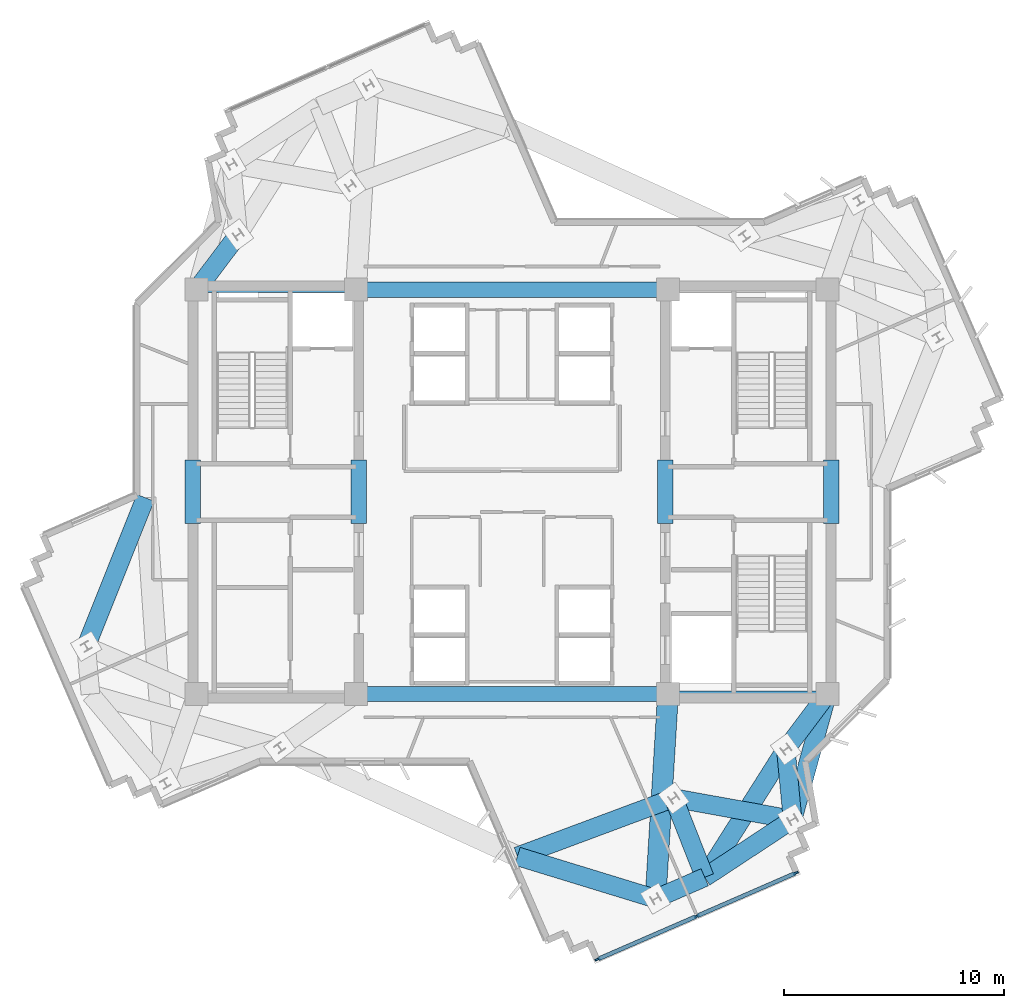
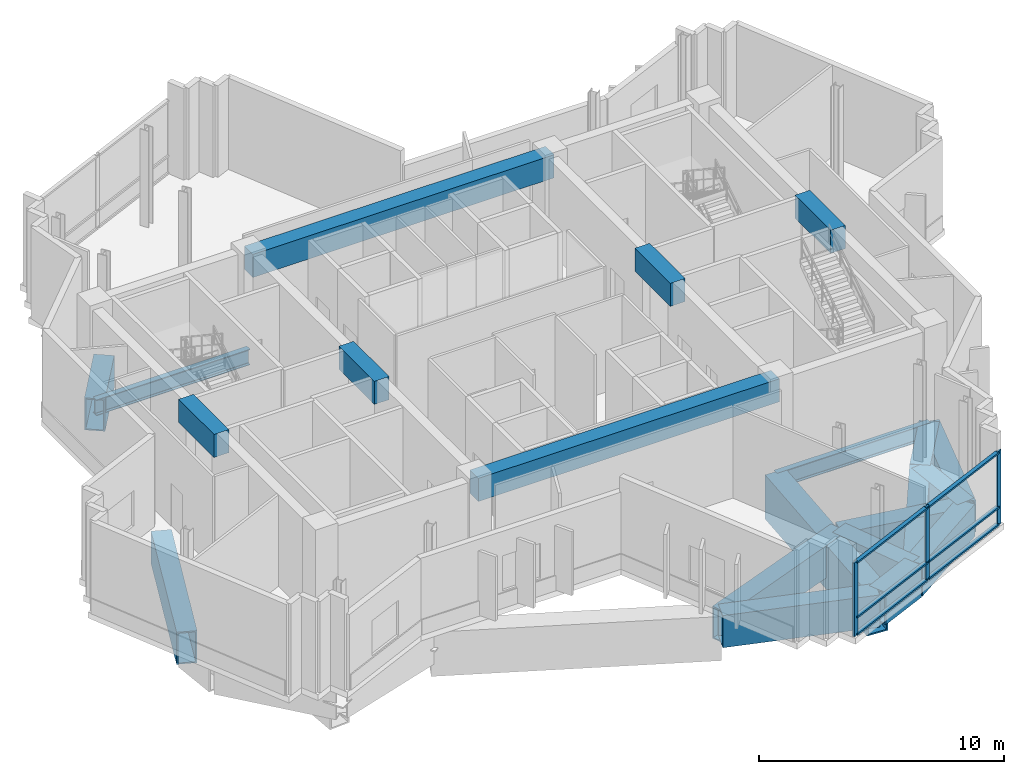
# One storey, part 2 of 11: 21 beams, 9 members, 1 element without a shape of its own.
"""IFC4 building model written with IfcOpenShell, lengths in metres."""

from ifc_helpers import new_model, si_unit, direction, frame, origin, origin_2d, place, context, subcontext, project, spatial, rectangle, hollow_rectangle, i_section, extrude, source, transform, mapped, material, layer, layer_set, material_profile, profile_set, type_object, element, aggregate, save


model = new_model("IFC4")

# Units and contexts
model_context = context("Model", 3, precision=1e-05, world=origin(), true_north=direction((0.0, 1.0)))
body_context = subcontext(model_context, "Body", "Model", "MODEL_VIEW")
ifc_project = project(units=[si_unit("LENGTHUNIT", "METRE"), si_unit("AREAUNIT", "SQUARE_METRE"), si_unit("VOLUMEUNIT", "CUBIC_METRE"), si_unit("PLANEANGLEUNIT", "RADIAN"), si_unit("MASSUNIT", "GRAM", prefix="KILO")], contexts=[model_context])

# Site, building, storey
site_placement = place(None, origin())
site = spatial("IfcSite", under=ifc_project, at=site_placement, CompositionType="ELEMENT")
building_placement = place(site_placement, origin())
building = spatial("IfcBuilding", under=site, at=building_placement, Name="Zahravan Cultural Tower", CompositionType="ELEMENT")
storey_placement = place(building_placement, frame((0.0, 0.0, 234.300048828125)))
storey = spatial("IfcBuildingStorey", under=building, at=storey_placement, Name="L55", CompositionType="ELEMENT", Elevation=234.300048828125)

# Beams
ifc_material_1 = material(Name="Concrete C50/60", Category="concrete")
ifc_material_profile_1 = material_profile(ifc_material_1, rectangle(XDim=0.699951171875, YDim=1.14990234375, at=origin_2d()), Name="RC700X1150")
ifc_profile_set_1 = profile_set([ifc_material_profile_1], Name="Concrete C50/60")
beam_type_1 = type_object("IfcBeamType", Name="BM-LN-RC700X1150", PredefinedType="LINTEL", material=ifc_profile_set_1)
shared_shape_1 = source(origin(), body_context, "Body", "SweptSolid", [
    extrude(rectangle(XDim=0.699951171875, YDim=1.14990234375, at=origin_2d()), origin(), (0.0, 0.0, 1.0), 14.2001953125),
])
for number, where, z_axis, x_axis, name in (
    (1, (28.89990234375, 17.800048828125, 3.974853515625), (1.0, 0.0, 0.0), (0.0, 1.0, 0.0), "L55 Beam LN-L55-S"),
    (2, (28.89990234375, 36.199951171875, 3.974853515625), (1.0, 0.0, 0.0), (0.0, 1.0, 0.0), "L55 Beam LN-L55-N"),
):
    element("IfcBeam", number, at=place(storey_placement, frame(where, z_axis=z_axis, x_axis=x_axis)), inside=storey, type_object=beam_type_1, Name=name, PredefinedType="LINTEL", context=body_context, shape_type="MappedRepresentation", body=[
        mapped(shared_shape_1, transform((0.0, 0.0, 0.0), x_axis=(1.0, 0.0, 0.0), y_axis=(0.0, 1.0, 0.0), z_axis=(0.0, 0.0, 1.0), scale=1.0)),
    ])
shared_shape_2 = source(origin(), body_context, "Body", "SweptSolid", [
    extrude(rectangle(XDim=0.699951171875, YDim=1.14990234375, at=origin_2d()), origin(), (0.0, 0.0, 1.0), 2.89990234375),
])
for number, where, z_axis, x_axis, name in (
    (3, (21.47509765625, 25.550048828125, 3.974853515625), (0.0, 1.0, 0.0), (-1.0, 0.0, 0.0), "L55 Beam LN-L55-PWW"),
    (4, (29.02490234375, 25.550048828125, 3.974853515625), (0.0, 1.0, 0.0), (-1.0, 0.0, 0.0), "L55 Beam LN-L55-PWE"),
    (5, (42.97509765625, 25.550048828125, 3.974853515625), (0.0, 1.0, 0.0), (-1.0, 0.0, 0.0), "L55 Beam LN-L55-PEW"),
    (6, (50.52490234375, 25.550048828125, 3.974853515625), (0.0, 1.0, 0.0), (-1.0, 0.0, 0.0), "L55 Beam LN-L55-PEE"),
):
    element("IfcBeam", number, at=place(storey_placement, frame(where, z_axis=z_axis, x_axis=x_axis)), inside=storey, type_object=beam_type_1, Name=name, PredefinedType="LINTEL", context=body_context, shape_type="MappedRepresentation", body=[
        mapped(shared_shape_2, transform((0.0, 0.0, 0.0), x_axis=(1.0, 0.0, 0.0), y_axis=(0.0, 1.0, 0.0), z_axis=(0.0, 0.0, 1.0), scale=1.0)),
    ])
ifc_material_2 = material(Name="Steel ASTM A992 Grade 50", Category="steel")
ifc_material_profile_2 = material_profile(ifc_material_2, i_section(OverallWidth=0.26611328125, OverallDepth=0.780029296875, WebThickness=0.0166015625, FlangeThickness=0.030029296875, FilletRadius=0.01904296875, at=origin_2d()), Name="W30X148")
ifc_profile_set_2 = profile_set([ifc_material_profile_2], Name="Steel ASTM A992 Grade 50")
beam_type_2 = type_object("IfcBeamType", Name="BM-G-W30X148", PredefinedType="BEAM", material=ifc_profile_set_2)
shared_shape_3 = source(origin(), body_context, "Body", "SweptSolid", [
    extrude(i_section(OverallWidth=0.26611328125, OverallDepth=0.780029296875, WebThickness=0.0166015625, FlangeThickness=0.030029296875, FilletRadius=0.01904296875, at=origin_2d()), origin(), (0.0, 0.0, 1.0), 7.25),
])
for number, where, z_axis, x_axis, name in (
    (7, (21.64990234375, 36.199951171875, -0.68994140625), (1.0, 0.0, 0.0), (0.0, 1.0, 0.0), "L55 Beam BG-L55-02"),
    (8, (43.10009765625, 17.800048828125, -0.68994140625), (1.0, 0.0, 0.0), (0.0, 1.0, 0.0), "L55 Beam BG-L55-04"),
):
    element("IfcBeam", number, at=place(storey_placement, frame(where, z_axis=z_axis, x_axis=x_axis)), inside=storey, type_object=beam_type_2, Name=name, PredefinedType="BEAM", context=body_context, shape_type="MappedRepresentation", body=[
        mapped(shared_shape_3, transform((0.0, 0.0, 0.0), x_axis=(1.0, 0.0, 0.0), y_axis=(0.0, 1.0, 0.0), z_axis=(0.0, 0.0, 1.0), scale=1.0)),
    ])
ifc_material_3 = material(Name="Steel ASTM A572 Grade 50", Category="steel")
ifc_material_profile_3 = material_profile(ifc_material_3, hollow_rectangle(XDim=0.85009765625, YDim=1.60009765625, WallThickness=0.06005859375, at=origin_2d()), Name="BOX1600X850X60")
ifc_profile_set_3 = profile_set([ifc_material_profile_3], Name="Steel ASTM A572 Grade 50")
beam_type_3 = type_object("IfcBeamType", Name="BM-TR-BOX1600", PredefinedType="BEAM", material=ifc_profile_set_3)
shared_shape_4 = source(origin(), body_context, "Body", "SweptSolid", [
    extrude(hollow_rectangle(XDim=0.85009765625, YDim=1.60009765625, WallThickness=0.06005859375, at=origin_2d()), origin(), (0.0, 0.0, 1.0), 7.279052734375),
])
beam_1_placement = place(storey_placement, frame((16.61962890625, 19.9677734375, -1.10009765625), z_axis=(0.370390022442, 0.928876327223, 0.0), x_axis=(-0.928876327223, 0.370390022442, 0.0)))
element("IfcBeam", 9, at=beam_1_placement, inside=storey, type_object=beam_type_3, Name="L55 Beam TB-L55-09", PredefinedType="BEAM", context=body_context, shape_type="MappedRepresentation", body=[
    mapped(shared_shape_4, transform((0.0, 0.0, 0.0), x_axis=(1.0, 0.0, 0.0), y_axis=(0.0, 1.0, 0.0), z_axis=(0.0, 0.0, 1.0), scale=1.0)),
])
ifc_material_profile_4 = material_profile(ifc_material_3, hollow_rectangle(XDim=0.949951171875, YDim=2.199951171875, WallThickness=0.070068359375, at=origin_2d()), Name="BOX2200X950X70")
ifc_profile_set_4 = profile_set([ifc_material_profile_4], Name="Steel ASTM A572 Grade 50")
beam_type_4 = type_object("IfcBeamType", Name="BM-TR-BOX2200", PredefinedType="BEAM", material=ifc_profile_set_4)
shared_shape_5 = source(origin(), body_context, "Body", "SweptSolid", [
    extrude(hollow_rectangle(XDim=0.949951171875, YDim=2.199951171875, WallThickness=0.070068359375, at=origin_2d()), origin(), (0.0, 0.0, 1.0), 9.331787109375),
])
beam_2_placement = place(storey_placement, frame((43.10009765625, 17.800048828125, -1.400146484375), z_axis=(-0.060853670048, -0.998146698057, 0.0), x_axis=(0.998146698057, -0.060853670048, 0.0)))
element("IfcBeam", 10, at=beam_2_placement, inside=storey, type_object=beam_type_4, Name="L55 Beam TB-L55-16", PredefinedType="BEAM", context=body_context, shape_type="MappedRepresentation", body=[
    mapped(shared_shape_5, transform((0.0, 0.0, 0.0), x_axis=(1.0, 0.0, 0.0), y_axis=(0.0, 1.0, 0.0), z_axis=(0.0, 0.0, 1.0), scale=1.0)),
])
shared_shape_6 = source(origin(), body_context, "Body", "SweptSolid", [
    extrude(hollow_rectangle(XDim=0.85009765625, YDim=1.60009765625, WallThickness=0.06005859375, at=origin_2d()), origin(), (0.0, 0.0, 1.0), 2.442138671875),
])
beam_3_placement = place(storey_placement, frame((42.5322265625, 8.485595703125, -1.10009765625), z_axis=(0.917168572537, 0.398499447366, 0.0), x_axis=(-0.398499447366, 0.917168572537, 0.0)))
element("IfcBeam", 11, at=beam_3_placement, inside=storey, type_object=beam_type_3, Name="L55 Beam TB-L55-17", PredefinedType="BEAM", context=body_context, shape_type="MappedRepresentation", body=[
    mapped(shared_shape_6, transform((0.0, 0.0, 0.0), x_axis=(1.0, 0.0, 0.0), y_axis=(0.0, 1.0, 0.0), z_axis=(0.0, 0.0, 1.0), scale=1.0)),
])
shared_shape_7 = source(origin(), body_context, "Body", "SweptSolid", [
    extrude(hollow_rectangle(XDim=0.85009765625, YDim=1.60009765625, WallThickness=0.06005859375, at=origin_2d()), origin(), (0.0, 0.0, 1.0), 6.575439453125),
])
beam_4_placement = place(storey_placement, frame((42.5322265625, 8.485595703125, -1.10009765625), z_axis=(-0.95610595292, 0.293021171234, 0.0), x_axis=(-0.293021171234, -0.95610595292, 0.0)))
element("IfcBeam", 12, at=beam_4_placement, inside=storey, type_object=beam_type_3, Name="L55 Beam TB-L55-18", PredefinedType="BEAM", context=body_context, shape_type="MappedRepresentation", body=[
    mapped(shared_shape_7, transform((0.0, 0.0, 0.0), x_axis=(1.0, 0.0, 0.0), y_axis=(0.0, 1.0, 0.0), z_axis=(0.0, 0.0, 1.0), scale=1.0)),
])
shared_shape_8 = source(origin(), body_context, "Body", "SweptSolid", [
    extrude(hollow_rectangle(XDim=0.85009765625, YDim=1.60009765625, WallThickness=0.06005859375, at=origin_2d()), origin(), (0.0, 0.0, 1.0), 3.87158203125),
])
beam_5_placement = place(storey_placement, frame((43.357421875, 13.062744140625, -1.10009765625), z_axis=(0.36535970816, -0.930866415579, 0.0), x_axis=(0.930866415579, 0.36535970816, 0.0)))
element("IfcBeam", 13, at=beam_5_placement, inside=storey, type_object=beam_type_3, Name="L55 Beam TB-L55-20", PredefinedType="BEAM", context=body_context, shape_type="MappedRepresentation", body=[
    mapped(shared_shape_8, transform((0.0, 0.0, 0.0), x_axis=(1.0, 0.0, 0.0), y_axis=(0.0, 1.0, 0.0), z_axis=(0.0, 0.0, 1.0), scale=1.0)),
])
shared_shape_9 = source(origin(), body_context, "Body", "SweptSolid", [
    extrude(hollow_rectangle(XDim=0.85009765625, YDim=1.60009765625, WallThickness=0.06005859375, at=origin_2d()), origin(), (0.0, 0.0, 1.0), 7.58984375),
])
beam_6_placement = place(storey_placement, frame((43.357421875, 13.062744140625, -1.10009765625), z_axis=(-0.93704765217, -0.349201514262, 0.0), x_axis=(0.349201514262, -0.93704765217, 0.0)))
element("IfcBeam", 14, at=beam_6_placement, inside=storey, type_object=beam_type_3, Name="L55 Beam TB-L55-21", PredefinedType="BEAM", context=body_context, shape_type="MappedRepresentation", body=[
    mapped(shared_shape_9, transform((0.0, 0.0, 0.0), x_axis=(1.0, 0.0, 0.0), y_axis=(0.0, 1.0, 0.0), z_axis=(0.0, 0.0, 1.0), scale=1.0)),
])
shared_shape_10 = source(origin(), body_context, "Body", "SweptSolid", [
    extrude(hollow_rectangle(XDim=0.85009765625, YDim=1.60009765625, WallThickness=0.06005859375, at=origin_2d()), origin(), (0.0, 0.0, 1.0), 5.929443359375),
])
beam_7_placement = place(storey_placement, frame((50.35009765625, 17.800048828125, -1.10009765625), z_axis=(-0.266892026307, -0.963726437478, 0.0), x_axis=(0.963726437478, -0.266892026307, 0.0)))
element("IfcBeam", 15, at=beam_7_placement, inside=storey, type_object=beam_type_3, Name="L55 Beam TB-L55-22", PredefinedType="BEAM", context=body_context, shape_type="MappedRepresentation", body=[
    mapped(shared_shape_10, transform((0.0, 0.0, 0.0), x_axis=(1.0, 0.0, 0.0), y_axis=(0.0, 1.0, 0.0), z_axis=(0.0, 0.0, 1.0), scale=1.0)),
])
shared_shape_11 = source(origin(), body_context, "Body", "SweptSolid", [
    extrude(hollow_rectangle(XDim=0.85009765625, YDim=1.60009765625, WallThickness=0.06005859375, at=origin_2d()), origin(), (0.0, 0.0, 1.0), 4.78173828125),
])
beam_8_placement = place(storey_placement, frame((48.767578125, 12.085693359375, -1.10009765625), z_axis=(-0.835583611525, -0.549363293414, 0.0), x_axis=(0.549363293414, -0.835583611525, 0.0)))
element("IfcBeam", 16, at=beam_8_placement, inside=storey, type_object=beam_type_3, Name="L55 Beam TB-L55-23", PredefinedType="BEAM", context=body_context, shape_type="MappedRepresentation", body=[
    mapped(shared_shape_11, transform((0.0, 0.0, 0.0), x_axis=(1.0, 0.0, 0.0), y_axis=(0.0, 1.0, 0.0), z_axis=(0.0, 0.0, 1.0), scale=1.0)),
])
shared_shape_12 = source(origin(), body_context, "Body", "SweptSolid", [
    extrude(hollow_rectangle(XDim=0.85009765625, YDim=1.60009765625, WallThickness=0.06005859375, at=origin_2d()), origin(), (0.0, 0.0, 1.0), 3.140380859375),
])
for number, where, z_axis, x_axis, name in (
    (17, (50.35009765625, 17.800048828125, -1.10009765625), (-0.600696322208, -0.799477284534, 0.0), (0.799477284534, -0.600696322208, 0.0), "L55 Beam TB-L55-25"),
    (18, (21.64990234375, 36.199951171875, -1.10009765625), (0.600696322208, 0.799477284534, 0.0), (-0.799477284534, 0.600696322208, 0.0), "L55 Beam TB-L55-44"),
):
    element("IfcBeam", number, at=place(storey_placement, frame(where, z_axis=z_axis, x_axis=x_axis)), inside=storey, type_object=beam_type_3, Name=name, PredefinedType="BEAM", context=body_context, shape_type="MappedRepresentation", body=[
        mapped(shared_shape_12, transform((0.0, 0.0, 0.0), x_axis=(1.0, 0.0, 0.0), y_axis=(0.0, 1.0, 0.0), z_axis=(0.0, 0.0, 1.0), scale=1.0)),
    ])
shared_shape_13 = source(origin(), body_context, "Body", "SweptSolid", [
    extrude(hollow_rectangle(XDim=0.85009765625, YDim=1.60009765625, WallThickness=0.06005859375, at=origin_2d()), origin(), (0.0, 0.0, 1.0), 6.90087890625),
])
beam_9_placement = place(storey_placement, frame((48.463623046875, 15.289306640625, -1.10009765625), z_axis=(-0.534944344957, -0.844887298874, 0.0), x_axis=(0.844887298874, -0.534944344957, 0.0)))
element("IfcBeam", 19, at=beam_9_placement, inside=storey, type_object=beam_type_3, Name="L55 Beam TB-L55-26", PredefinedType="BEAM", context=body_context, shape_type="MappedRepresentation", body=[
    mapped(shared_shape_13, transform((0.0, 0.0, 0.0), x_axis=(1.0, 0.0, 0.0), y_axis=(0.0, 1.0, 0.0), z_axis=(0.0, 0.0, 1.0), scale=1.0)),
])
shared_shape_14 = source(origin(), body_context, "Body", "SweptSolid", [
    extrude(hollow_rectangle(XDim=0.85009765625, YDim=1.60009765625, WallThickness=0.06005859375, at=origin_2d()), origin(), (0.0, 0.0, 1.0), 5.49755859375),
])
beam_10_placement = place(storey_placement, frame((43.357421875, 13.062744140625, -1.10009765625), z_axis=(0.984080958163, -0.177720757878, 0.0), x_axis=(0.177720757878, 0.984080958163, 0.0)))
element("IfcBeam", 20, at=beam_10_placement, inside=storey, type_object=beam_type_3, Name="L55 Beam TB-L55-50", PredefinedType="BEAM", context=body_context, shape_type="MappedRepresentation", body=[
    mapped(shared_shape_14, transform((0.0, 0.0, 0.0), x_axis=(1.0, 0.0, 0.0), y_axis=(0.0, 1.0, 0.0), z_axis=(0.0, 0.0, 1.0), scale=1.0)),
])
shared_shape_15 = source(origin(), body_context, "Body", "SweptSolid", [
    extrude(hollow_rectangle(XDim=0.85009765625, YDim=1.60009765625, WallThickness=0.06005859375, at=origin_2d()), origin(), (0.0, 0.0, 1.0), 3.218017578125),
])
beam_11_placement = place(storey_placement, frame((48.767578125, 12.085693359375, -1.10009765625), z_axis=(-0.094454641962, 0.995529166128, 0.0), x_axis=(-0.995529166128, -0.094454641962, 0.0)))
element("IfcBeam", 21, at=beam_11_placement, inside=storey, type_object=beam_type_3, Name="L55 Beam TB-L55-51", PredefinedType="BEAM", context=body_context, shape_type="MappedRepresentation", body=[
    mapped(shared_shape_15, transform((0.0, 0.0, 0.0), x_axis=(1.0, 0.0, 0.0), y_axis=(0.0, 1.0, 0.0), z_axis=(0.0, 0.0, 1.0), scale=1.0)),
])

# Curtain wall, members
ifc_material_4 = material(Name="Anodised bronze-aluminium mullion", Category="aluminium")
ifc_layer = layer(ifc_material_4, 0.239990234375)
ifc_layer_set = layer_set([ifc_layer], Name="Anodised bronze-aluminium mullion")
curtain_wall_type = type_object("IfcCurtainWallType", Name="CW-SYS-5", PredefinedType="USERDEFINED", material=ifc_layer_set)
curtain_wall_placement = place(storey_placement, origin())
curtain_wall = element("IfcCurtainWall", 22, at=curtain_wall_placement, inside=storey, type_object=curtain_wall_type, Name="L55 Recessed Curtain Wall CW-5.1", ObjectType="RECESSED GLAZING", PredefinedType="USERDEFINED")
ifc_material_profile_5 = material_profile(ifc_material_4, rectangle(XDim=0.179931640625, YDim=0.0849609375, at=origin_2d()), Name="AL-T85X180")
ifc_profile_set_5 = profile_set([ifc_material_profile_5], Name="Anodised bronze-aluminium mullion")
member_type_1 = type_object("IfcMemberType", Name="CWT-CW-5", PredefinedType="USERDEFINED", material=ifc_profile_set_5)
shared_shape_16 = source(origin(), body_context, "Body", "SweptSolid", [
    extrude(rectangle(XDim=0.179931640625, YDim=0.0849609375, at=origin_2d()), origin(), (0.0, 0.0, 1.0), 4.83251953125),
])
member_1_placement = place(storey_placement, frame((48.87353515625, 9.63427734375, 0.04248046875), z_axis=(-0.916946321338, -0.399010581043, 0.0), x_axis=(0.399010581043, -0.916946321338, 0.0)))
member_1 = element("IfcMember", 23, at=member_1_placement, type_object=member_type_1, Name="CW-5 transom 1.1", ObjectType="TRANSOM", PredefinedType="USERDEFINED", context=body_context, shape_type="MappedRepresentation", body=[
    mapped(shared_shape_16, transform((0.0, 0.0, 0.0), x_axis=(1.0, 0.0, 0.0), y_axis=(0.0, 1.0, 0.0), z_axis=(0.0, 0.0, 1.0), scale=1.0)),
])
member_2_placement = place(storey_placement, frame((48.87353515625, 9.63427734375, 0.89990234375), z_axis=(-0.916946321338, -0.399010581043, 0.0), x_axis=(0.399010581043, -0.916946321338, 0.0)))
member_2 = element("IfcMember", 24, at=member_2_placement, type_object=member_type_1, Name="CW-5 transom 1.2", ObjectType="TRANSOM", PredefinedType="USERDEFINED", context=body_context, shape_type="MappedRepresentation", body=[
    mapped(shared_shape_16, transform((0.0, 0.0, 0.0), x_axis=(1.0, 0.0, 0.0), y_axis=(0.0, 1.0, 0.0), z_axis=(0.0, 0.0, 1.0), scale=1.0)),
])
member_3_placement = place(storey_placement, frame((48.87353515625, 9.63427734375, 3.62744140625), z_axis=(-0.916946321338, -0.399010581043, 0.0), x_axis=(0.399010581043, -0.916946321338, 0.0)))
member_3 = element("IfcMember", 25, at=member_3_placement, type_object=member_type_1, Name="CW-5 transom 1.3", ObjectType="TRANSOM", PredefinedType="USERDEFINED", context=body_context, shape_type="MappedRepresentation", body=[
    mapped(shared_shape_16, transform((0.0, 0.0, 0.0), x_axis=(1.0, 0.0, 0.0), y_axis=(0.0, 1.0, 0.0), z_axis=(0.0, 0.0, 1.0), scale=1.0)),
])
member_4_placement = place(storey_placement, frame((44.3642578125, 7.672119140625, 0.04248046875), z_axis=(-0.916946321338, -0.399010581043, 0.0), x_axis=(0.399010581043, -0.916946321338, 0.0)))
member_4 = element("IfcMember", 26, at=member_4_placement, type_object=member_type_1, Name="CW-5 transom 2.1", ObjectType="TRANSOM", PredefinedType="USERDEFINED", context=body_context, shape_type="MappedRepresentation", body=[
    mapped(shared_shape_16, transform((0.0, 0.0, 0.0), x_axis=(1.0, 0.0, 0.0), y_axis=(0.0, 1.0, 0.0), z_axis=(0.0, 0.0, 1.0), scale=1.0)),
])
member_5_placement = place(storey_placement, frame((44.3642578125, 7.672119140625, 0.89990234375), z_axis=(-0.916946321338, -0.399010581043, 0.0), x_axis=(0.399010581043, -0.916946321338, 0.0)))
member_5 = element("IfcMember", 27, at=member_5_placement, type_object=member_type_1, Name="CW-5 transom 2.2", ObjectType="TRANSOM", PredefinedType="USERDEFINED", context=body_context, shape_type="MappedRepresentation", body=[
    mapped(shared_shape_16, transform((0.0, 0.0, 0.0), x_axis=(1.0, 0.0, 0.0), y_axis=(0.0, 1.0, 0.0), z_axis=(0.0, 0.0, 1.0), scale=1.0)),
])
member_6_placement = place(storey_placement, frame((44.3642578125, 7.672119140625, 3.62744140625), z_axis=(-0.916946321338, -0.399010581043, 0.0), x_axis=(0.399010581043, -0.916946321338, 0.0)))
member_6 = element("IfcMember", 28, at=member_6_placement, type_object=member_type_1, Name="CW-5 transom 2.3", ObjectType="TRANSOM", PredefinedType="USERDEFINED", context=body_context, shape_type="MappedRepresentation", body=[
    mapped(shared_shape_16, transform((0.0, 0.0, 0.0), x_axis=(1.0, 0.0, 0.0), y_axis=(0.0, 1.0, 0.0), z_axis=(0.0, 0.0, 1.0), scale=1.0)),
])
ifc_material_profile_6 = material_profile(ifc_material_4, rectangle(XDim=0.0849609375, YDim=0.239990234375, at=origin_2d()), Name="AL-M85X240")
ifc_profile_set_6 = profile_set([ifc_material_profile_6], Name="Anodised bronze-aluminium mullion")
member_type_2 = type_object("IfcMemberType", Name="CWM-CW-5", PredefinedType="MULLION", material=ifc_profile_set_6)
shared_shape_17 = source(origin(), body_context, "Body", "SweptSolid", [
    extrude(rectangle(XDim=0.0849609375, YDim=0.239990234375, at=origin_2d()), origin(), (0.0, 0.0, 1.0), 3.669921875),
])
member_7_placement = place(storey_placement, frame((48.912353515625, 9.6513671875, 0.0), z_axis=(0.0, 0.0, 1.0), x_axis=(0.399016919762, -0.916943563009, 0.0)))
member_7 = element("IfcMember", 29, at=member_7_placement, type_object=member_type_2, Name="CW-5 mullion 1", PredefinedType="MULLION", context=body_context, shape_type="MappedRepresentation", body=[
    mapped(shared_shape_17, transform((0.0, 0.0, 0.0), x_axis=(1.0, 0.0, 0.0), y_axis=(0.0, 1.0, 0.0), z_axis=(0.0, 0.0, 1.0), scale=1.0)),
])
member_8_placement = place(storey_placement, frame((44.4033203125, 7.689208984375, 0.0), z_axis=(0.0, 0.0, 1.0), x_axis=(0.399016919762, -0.916943563009, 0.0)))
member_8 = element("IfcMember", 30, at=member_8_placement, type_object=member_type_2, Name="CW-5 mullion 2", PredefinedType="MULLION", context=body_context, shape_type="MappedRepresentation", body=[
    mapped(shared_shape_17, transform((0.0, 0.0, 0.0), x_axis=(1.0, 0.0, 0.0), y_axis=(0.0, 1.0, 0.0), z_axis=(0.0, 0.0, 1.0), scale=1.0)),
])
member_9_placement = place(storey_placement, frame((39.894287109375, 5.72705078125, 0.0), z_axis=(0.0, 0.0, 1.0), x_axis=(0.399016919762, -0.916943563009, 0.0)))
member_9 = element("IfcMember", 31, at=member_9_placement, type_object=member_type_2, Name="CW-5 mullion 3", PredefinedType="MULLION", context=body_context, shape_type="MappedRepresentation", body=[
    mapped(shared_shape_17, transform((0.0, 0.0, 0.0), x_axis=(1.0, 0.0, 0.0), y_axis=(0.0, 1.0, 0.0), z_axis=(0.0, 0.0, 1.0), scale=1.0)),
])
aggregate(curtain_wall, [member_7, member_8, member_9, member_1, member_2, member_3, member_4, member_5, member_6])

save(model, "model.ifc")
